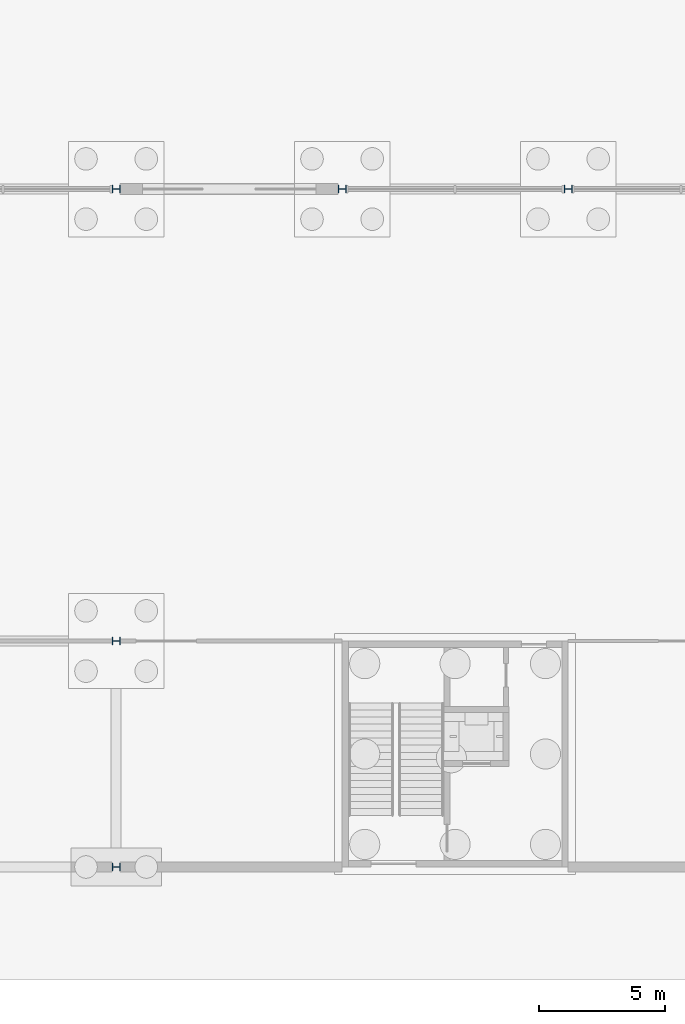
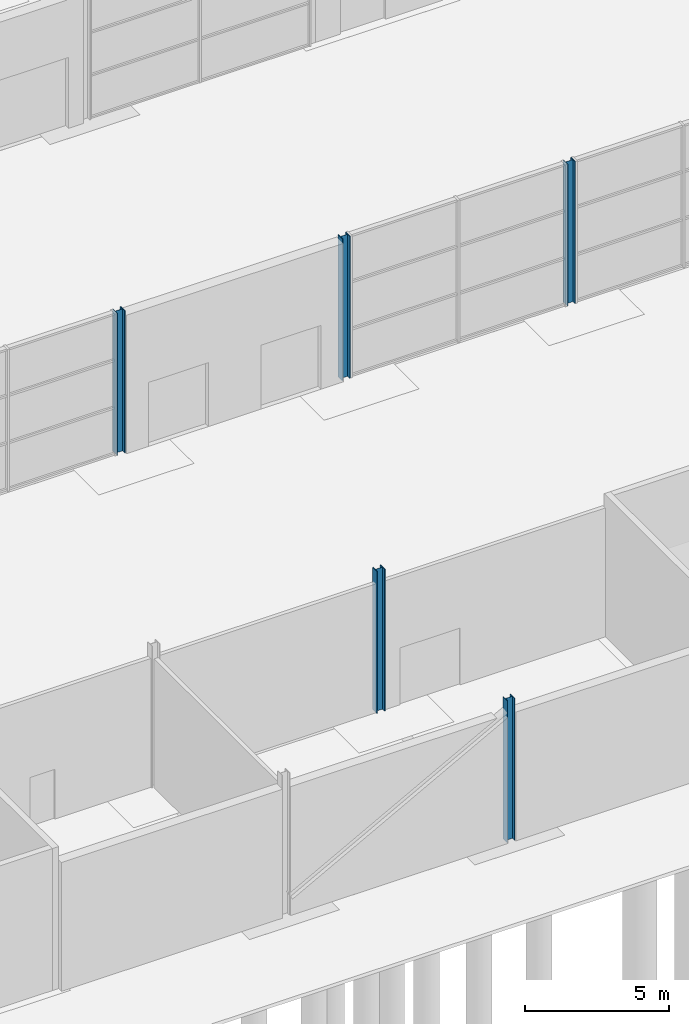
# One storey, part 8 of 97: 5 columns.
"""IFC4 building model written with IfcOpenShell, lengths in metres."""

from ifc_helpers import new_model, si_unit, direction, frame, origin, origin_2d, place, context, subcontext, project, spatial, i_section, extrude, material, material_profile, profile_set, type_object, element, save


model = new_model("IFC4")

# Units and contexts
model_context = context("Model", 3, precision=1e-05, world=origin(), true_north=direction((0.0, 1.0)))
body_context = subcontext(model_context, "Body", "Model", "MODEL_VIEW")
ifc_project = project(units=[si_unit("LENGTHUNIT", "METRE"), si_unit("AREAUNIT", "SQUARE_METRE"), si_unit("VOLUMEUNIT", "CUBIC_METRE"), si_unit("PLANEANGLEUNIT", "RADIAN"), si_unit("MASSUNIT", "GRAM", prefix="KILO")], contexts=[model_context])

# Site, building, storey
site_placement = place(None, origin())
site = spatial("IfcSite", under=ifc_project, at=site_placement, CompositionType="ELEMENT")
building_placement = place(site_placement, origin())
building = spatial("IfcBuilding", under=site, at=building_placement, Name="Corbel Yard City Hall", CompositionType="ELEMENT")
storey_placement = place(building_placement, origin())
storey = spatial("IfcBuildingStorey", under=building, at=storey_placement, Name="L00", CompositionType="ELEMENT", Elevation=0.0)

# Columns
ifc_material = material(Name="Steel Grade 300 (300 MPa yield)", Category="steel")
ifc_material_profile_1 = material_profile(ifc_material, i_section(OverallWidth=0.306884765625, OverallDepth=0.31494140625, WebThickness=0.011962890625, FlangeThickness=0.018798828125, at=origin_2d()), Name="310UC118")
ifc_profile_set_1 = profile_set([ifc_material_profile_1], Name="Steel Grade 300 (300 MPa yield)")
column_type_1 = type_object("IfcColumnType", Name="Column 310UC118", PredefinedType="COLUMN", material=ifc_profile_set_1)
column_placement = place(storey_placement, frame((36.0, 0.0, 0.0), z_axis=(0.0, 0.0, 1.0), x_axis=(0.0, 1.0, 0.0)))
element("IfcColumn", 1, at=column_placement, inside=storey, type_object=column_type_1, Name="Column 310UC118 A/5 L00", PredefinedType="COLUMN", context=body_context, shape_type="SweptSolid", body=[
    extrude(i_section(OverallWidth=0.306884765625, OverallDepth=0.31494140625, WebThickness=0.011962890625, FlangeThickness=0.018798828125, at=origin_2d()), origin(), (0.0, 0.0, 1.0), 6.0),
])
ifc_material_profile_2 = material_profile(ifc_material, i_section(OverallWidth=0.31103515625, OverallDepth=0.326904296875, WebThickness=0.015625, FlangeThickness=0.02490234375, at=origin_2d()), Name="310UC158")
ifc_profile_set_2 = profile_set([ifc_material_profile_2], Name="Steel Grade 300 (300 MPa yield)")
column_type_2 = type_object("IfcColumnType", Name="Column 310UC158", PredefinedType="COLUMN", material=ifc_profile_set_2)
for number, where, z_axis, x_axis, name in (
    (2, (36.0, 9.0, 0.0), (0.0, 0.0, 1.0), (0.0, 1.0, 0.0), "Column 310UC158 B/5 L00"),
    (3, (36.0, 27.0, 0.0), (0.0, 0.0, 1.0), (0.0, 1.0, 0.0), "Column 310UC158 D/5 L00"),
    (4, (45.0, 27.0, 0.0), (0.0, 0.0, 1.0), (0.0, 1.0, 0.0), "Column 310UC158 D/6 L00"),
    (5, (54.0, 27.0, 0.0), (0.0, 0.0, 1.0), (0.0, 1.0, 0.0), "Column 310UC158 D/7 L00"),
):
    element("IfcColumn", number, at=place(storey_placement, frame(where, z_axis=z_axis, x_axis=x_axis)), inside=storey, type_object=column_type_2, Name=name, PredefinedType="COLUMN", context=body_context, shape_type="SweptSolid", body=[
        extrude(i_section(OverallWidth=0.31103515625, OverallDepth=0.326904296875, WebThickness=0.015625, FlangeThickness=0.02490234375, at=origin_2d()), origin(), (0.0, 0.0, 1.0), 6.0),
    ])

save(model, "model.ifc")
